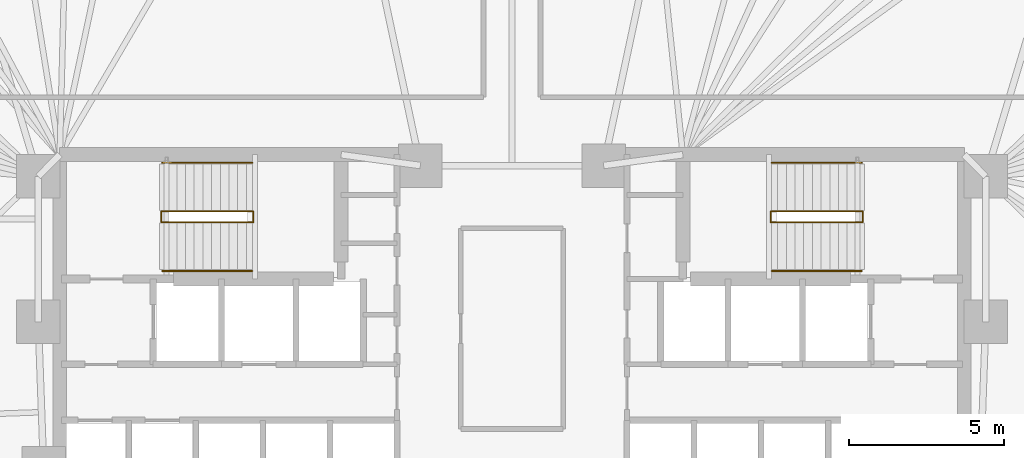
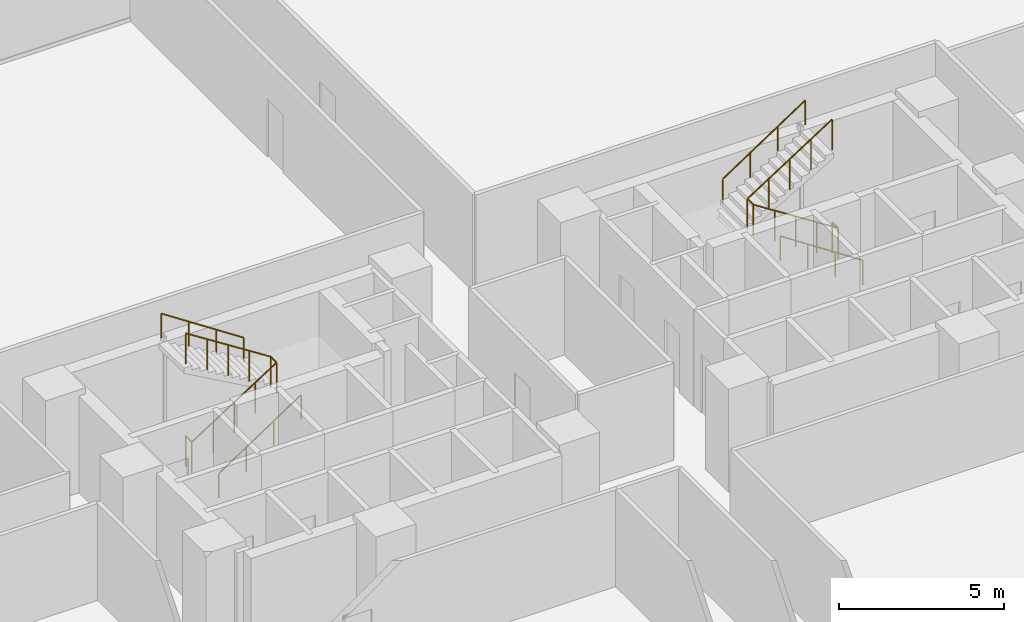
# One storey, part 16 of 16: 6 railings.
"""IFC4 building model written with IfcOpenShell, lengths in metres."""

import ifcopenshell
import ifcopenshell.guid

model = None  # the IFC model being written
_history = None  # IfcOwnerHistory: only IFC2X3 demands one
_inside = {}  # id of a spatial element -> (the spatial element, [elements in it])
_under = {}  # id of a project, library or spatial element -> (it, [spatial elements below it])
_declared = {}  # id of a project -> (the project, [libraries it declares])
_typed = {}  # id of a type object -> (the type object, [elements of that type])
_made_of = {}  # id of a material, layer set ... -> (it, [elements and type objects made of it])


def new_model(schema):
    """Start an empty IFC model of exactly this schema.

    Asked for "IFC4X3", IfcOpenShell would pick the latest addendum, in which some entities
    have other attributes; the version numbers below select the first issue.
    IFC2X3 requires an IfcOwnerHistory on every rooted entity: one is made here for all.
    """
    global model, _history
    if schema == "IFC4X3":
        model = ifcopenshell.file(schema_version=(4, 3, 0, 0))
    else:
        model = ifcopenshell.file(schema=schema)
    _inside.clear()
    _under.clear()
    _declared.clear()
    _typed.clear()
    _made_of.clear()
    _history = None
    if model.schema == "IFC2X3":
        org = make("IfcOrganization", Name="unknown")
        user = make(
            "IfcPersonAndOrganization",
            ThePerson=make("IfcPerson", FamilyName="unknown"),
            TheOrganization=org,
        )
        app = make(
            "IfcApplication",
            ApplicationDeveloper=org,
            Version="unknown",
            ApplicationFullName="unknown",
            ApplicationIdentifier="unknown",
        )
        _history = make(
            "IfcOwnerHistory",
            OwningUser=user,
            OwningApplication=app,
            ChangeAction="ADDED",
            CreationDate=0,
        )
    return model


def make(cls, **values):
    """One entity of the class cls with the attributes given. An attribute that is None is left unset."""
    return model.create_entity(
        cls, **{name: value for name, value in values.items() if value is not None}
    )


def rooted(cls, **values):
    """An entity with a GlobalId (a new one), such as an element, a storey or a relation."""
    return make(cls, GlobalId=ifcopenshell.guid.new(), OwnerHistory=_history, **values)


def si_unit(unit_type, name, prefix=None):
    """IfcSIUnit, for example si_unit("LENGTHUNIT", "METRE", prefix="MILLI")."""
    return make("IfcSIUnit", UnitType=unit_type, Prefix=prefix, Name=name)


def assignment(units):
    """IfcUnitAssignment: the units of a project."""
    return None if units is None else make("IfcUnitAssignment", Units=units)


def point(xyz):
    """IfcCartesianPoint."""
    return None if xyz is None else make("IfcCartesianPoint", Coordinates=xyz)


def direction(xyz):
    """IfcDirection."""
    return None if xyz is None else make("IfcDirection", DirectionRatios=xyz)


def frame(location, z_axis=None, x_axis=None):
    """IfcAxis2Placement3D, a coordinate frame: its origin and axes. An axis left out is left unset."""
    return make(
        "IfcAxis2Placement3D",
        Location=point(location),
        Axis=direction(z_axis),
        RefDirection=direction(x_axis),
    )


def frame_2d(location, x_axis=None):
    """IfcAxis2Placement2D, a coordinate frame in the plane: its origin and x axis."""
    return make(
        "IfcAxis2Placement2D", Location=point(location), RefDirection=direction(x_axis)
    )


def origin():
    """The frame at (0, 0, 0) with its axes left unset."""
    return frame((0.0, 0.0, 0.0))


def origin_2d():
    """The frame at (0, 0) in the plane with its x axis left unset."""
    return frame_2d((0.0, 0.0))


def place(relative_to, where):
    """IfcLocalPlacement: puts the frame where relative to a parent placement (None: the world)."""
    return make(
        "IfcLocalPlacement", PlacementRelTo=relative_to, RelativePlacement=where
    )


def context(
    kind, dimensions, precision=None, world=None, true_north=None, identifier=None
):
    """IfcGeometricRepresentationContext, for example the 3D "Model" context."""
    return make(
        "IfcGeometricRepresentationContext",
        ContextIdentifier=identifier,
        ContextType=kind,
        CoordinateSpaceDimension=dimensions,
        Precision=precision,
        WorldCoordinateSystem=world,
        TrueNorth=true_north,
    )


def subcontext(parent, identifier, kind, view, scale=None):
    """IfcGeometricRepresentationSubContext, for example "Body" below "Model"."""
    return make(
        "IfcGeometricRepresentationSubContext",
        ContextIdentifier=identifier,
        ContextType=kind,
        ParentContext=parent,
        TargetScale=scale,
        TargetView=view,
    )


def project(units=None, contexts=None):
    """IfcProject with its units and contexts."""
    return rooted(
        "IfcProject",
        Name="project",
        RepresentationContexts=contexts,
        UnitsInContext=assignment(units),
    )


def spatial(cls, under=None, at=None, **own):
    """A site, building, storey or space (cls), placed at a placement, below another one or the project."""
    s = rooted(cls, ObjectPlacement=at, **own)
    if under is not None:
        _under.setdefault(under.id(), (under, []))[1].append(s)
    return s


def profile(cls, at=None, kind="AREA", **sizes):
    """A parametric profile (cls). Its sizes go by their IFC names, for example OverallWidth=200.0."""
    return make(cls, ProfileType=kind, Position=at, **sizes)


def circle(**sizes):
    """IfcCircleProfileDef."""
    return profile("IfcCircleProfileDef", **sizes)


def extrude(swept, where, along, depth):
    """IfcExtrudedAreaSolid: the profile swept, set in the frame where, extruded along a direction by depth."""
    return make(
        "IfcExtrudedAreaSolid",
        SweptArea=swept,
        Position=where,
        ExtrudedDirection=direction(along),
        Depth=depth,
    )


def shape(context_of_items, identifier, shape_type, items):
    """IfcShapeRepresentation: the items that make up one representation, for example the "Body"."""
    return make(
        "IfcShapeRepresentation",
        ContextOfItems=context_of_items,
        RepresentationIdentifier=identifier,
        RepresentationType=shape_type,
        Items=items,
    )


def material(Name=None, Category=None):
    """IfcMaterial."""
    return make("IfcMaterial", Name=Name, Category=Category)


def made_of(thing, what):
    """Note that an element or type object is made of a material, layer set ...; save() writes the relation."""
    if what is not None:
        _made_of.setdefault(what.id(), (what, []))[1].append(thing)
    return thing


def type_object(cls, material=None, **own):
    """A type object (cls), such as IfcWallType, which elements share."""
    return made_of(rooted(cls, **own), material)


def element(
    cls,
    number,
    at=None,
    inside=None,
    cuts=None,
    type_object=None,
    material=None,
    context=None,
    identifier="Body",
    shape_type=None,
    held_by="IfcProductDefinitionShape",
    body=None,
    shapes=None,
    **own,
):
    """One element of the class cls, such as IfcWall. Its Tag is "e" and its number.

    at: its placement. inside: the storey or other place that contains it. cuts: it is an
    opening in that element (IfcRelVoidsElement). A single representation is given by context,
    identifier, shape_type and body (its items); several are given by shapes. held_by: the class
    of the entity that holds the representations. save() writes the other relations.
    """
    e = rooted(cls, Tag="e%d" % number, ObjectPlacement=at, **own)
    if body is not None:
        shapes = [shape(context, identifier, shape_type, body)]
    if shapes is not None:
        e.Representation = make(held_by, Representations=shapes)
    if inside is not None:
        _inside.setdefault(inside.id(), (inside, []))[1].append(e)
    if cuts is not None:
        rooted(
            "IfcRelVoidsElement", RelatingBuildingElement=cuts, RelatedOpeningElement=e
        )
    if type_object is not None:
        _typed.setdefault(type_object.id(), (type_object, []))[1].append(e)
    return made_of(e, material)


def aggregate(whole, parts):
    """IfcRelAggregates: a whole, such as a stair, and the parts it consists of."""
    return rooted("IfcRelAggregates", RelatingObject=whole, RelatedObjects=parts)


def save(model, path):
    """Write the relations noted so far, then the file.

    IfcRelAggregates (storeys below a building ...), IfcRelContainedInSpatialStructure (elements
    in a storey), IfcRelDefinesByType, IfcRelAssociatesMaterial and IfcRelDeclares: one each for
    every whole, place, type object, material and project.
    """
    for whole, parts in _under.values():
        aggregate(whole, parts)
    for where, things in _inside.values():
        rooted(
            "IfcRelContainedInSpatialStructure",
            RelatedElements=things,
            RelatingStructure=where,
        )
    for kind, things in _typed.values():
        rooted("IfcRelDefinesByType", RelatedObjects=things, RelatingType=kind)
    for what, things in _made_of.values():
        rooted("IfcRelAssociatesMaterial", RelatedObjects=things, RelatingMaterial=what)
    for by, libraries in _declared.values():
        rooted("IfcRelDeclares", RelatingContext=by, RelatedDefinitions=libraries)
    model.write(path)


model = new_model("IFC4")

# Units and contexts
model_context = context("Model", 3, precision=1e-05, world=origin(), true_north=direction((0.0, 1.0)))
body_context = subcontext(model_context, "Body", "Model", "MODEL_VIEW")
ifc_project = project(units=[si_unit("LENGTHUNIT", "METRE"), si_unit("AREAUNIT", "SQUARE_METRE"), si_unit("VOLUMEUNIT", "CUBIC_METRE"), si_unit("PLANEANGLEUNIT", "RADIAN"), si_unit("MASSUNIT", "GRAM", prefix="KILO")], contexts=[model_context])

# Site, building, storey
site_placement = place(None, origin())
site = spatial("IfcSite", under=ifc_project, at=site_placement, CompositionType="ELEMENT")
building_placement = place(site_placement, origin())
building = spatial("IfcBuilding", under=site, at=building_placement, Name="Menara Jurai Vektor", CompositionType="ELEMENT")
storey_placement = place(building_placement, frame((0.0, 0.0, 67.39990234375)))
storey = spatial("IfcBuildingStorey", under=building, at=storey_placement, Name="L16", CompositionType="ELEMENT", Elevation=67.39990234375)

# Railings
ifc_material_1 = material(Name="Painted Galvanised Steel Balustrade", Category="steel")
railing_type_1 = type_object("IfcRailingType", Name="RAIL-STAIR-GUARD", PredefinedType="GUARDRAIL", material=ifc_material_1)
railing_1_placement = place(storey_placement, frame((-11.2900390625, 3.780029296875, 0.0)))
element("IfcRailing", 1, at=railing_1_placement, inside=storey, type_object=railing_type_1, Name="ST1 Stair Guardrail 1 L16", PredefinedType="GUARDRAIL", context=body_context, shape_type="SweptSolid", body=[
    extrude(circle(Radius=0.02392578125, at=origin_2d()), frame((0.0, 0.0, 1.1259765625), z_axis=(0.0, -1.0, 0.0), x_axis=(1.0, 0.0, 0.0)), (0.0, 0.0, 1.0), 0.360107421875),
    extrude(circle(Radius=0.02392578125, at=origin_2d()), frame((0.0, -0.360107421875, 1.1259765625), z_axis=(0.841525601958, 0.0, 0.540217235239), x_axis=(0.0, 1.0, 0.0)), (0.0, 0.0, 1.0), 3.517333984375),
    extrude(circle(Radius=0.02392578125, at=origin_2d()), frame((2.9599609375, -0.360107421875, 3.02587890625), z_axis=(0.0, 1.0, 0.0), x_axis=(-1.0, 0.0, 0.0)), (0.0, 0.0, 1.0), 0.360107421875),
    extrude(circle(Radius=0.02392578125, at=origin_2d()), frame((2.9599609375, 0.0, 3.02587890625), z_axis=(-0.841557155905, 0.0, 0.540168078791), x_axis=(0.0, -1.0, 0.0)), (0.0, 0.0, 1.0), 3.517333984375),
    extrude(circle(Radius=0.02099609375, at=origin_2d()), origin(), (0.0, 0.0, 1.0), 1.101806640625),
    extrude(circle(Radius=0.02099609375, at=origin_2d()), frame((0.0, -0.360107421875, 0.0)), (0.0, 0.0, 1.0), 1.101806640625),
    extrude(circle(Radius=0.02099609375, at=origin_2d()), frame((0.739990234375, -0.360107421875, 0.47509765625)), (0.0, 0.0, 1.0), 1.101806640625),
    extrude(circle(Radius=0.02099609375, at=origin_2d()), frame((1.47998046875, -0.360107421875, 0.9501953125)), (0.0, 0.0, 1.0), 1.101806640625),
    extrude(circle(Radius=0.02099609375, at=origin_2d()), frame((2.219970703125, -0.360107421875, 1.425048828125)), (0.0, 0.0, 1.0), 1.101806640625),
    extrude(circle(Radius=0.02099609375, at=origin_2d()), frame((2.9599609375, -0.360107421875, 1.900146484375)), (0.0, 0.0, 1.0), 1.101806640625),
    extrude(circle(Radius=0.02099609375, at=origin_2d()), frame((2.9599609375, 0.0, 1.900146484375)), (0.0, 0.0, 1.0), 1.101806640625),
    extrude(circle(Radius=0.02099609375, at=origin_2d()), frame((2.219970703125, 0.0, 2.375)), (0.0, 0.0, 1.0), 1.101806640625),
    extrude(circle(Radius=0.02099609375, at=origin_2d()), frame((1.47998046875, 0.0, 2.85009765625)), (0.0, 0.0, 1.0), 1.101806640625),
    extrude(circle(Radius=0.02099609375, at=origin_2d()), frame((0.739990234375, 0.0, 3.3251953125)), (0.0, 0.0, 1.0), 1.101806640625),
    extrude(circle(Radius=0.02099609375, at=origin_2d()), frame((0.0, 0.0, 3.800048828125)), (0.0, 0.0, 1.0), 1.101806640625),
])
railing_2_placement = place(storey_placement, frame((11.2900390625, 3.780029296875, 0.0)))
element("IfcRailing", 2, at=railing_2_placement, inside=storey, type_object=railing_type_1, Name="ST2 Stair Guardrail 1 L16", PredefinedType="GUARDRAIL", context=body_context, shape_type="SweptSolid", body=[
    extrude(circle(Radius=0.02392578125, at=origin_2d()), frame((0.0, 0.0, 1.1259765625), z_axis=(0.0, -1.0, 0.0), x_axis=(1.0, 0.0, 0.0)), (0.0, 0.0, 1.0), 0.360107421875),
    extrude(circle(Radius=0.02392578125, at=origin_2d()), frame((0.0, -0.360107421875, 1.1259765625), z_axis=(-0.841525601958, 0.0, 0.540217235239), x_axis=(0.0, -1.0, 0.0)), (0.0, 0.0, 1.0), 3.517333984375),
    extrude(circle(Radius=0.02392578125, at=origin_2d()), frame((-2.9599609375, -0.360107421875, 3.02587890625), z_axis=(0.0, 1.0, 0.0), x_axis=(-1.0, 0.0, 0.0)), (0.0, 0.0, 1.0), 0.360107421875),
    extrude(circle(Radius=0.02392578125, at=origin_2d()), frame((-2.9599609375, 0.0, 3.02587890625), z_axis=(0.841557155905, 0.0, 0.540168078791), x_axis=(0.0, 1.0, 0.0)), (0.0, 0.0, 1.0), 3.517333984375),
    extrude(circle(Radius=0.02099609375, at=origin_2d()), origin(), (0.0, 0.0, 1.0), 1.101806640625),
    extrude(circle(Radius=0.02099609375, at=origin_2d()), frame((0.0, -0.360107421875, 0.0)), (0.0, 0.0, 1.0), 1.101806640625),
    extrude(circle(Radius=0.02099609375, at=origin_2d()), frame((-0.739990234375, -0.360107421875, 0.47509765625)), (0.0, 0.0, 1.0), 1.101806640625),
    extrude(circle(Radius=0.02099609375, at=origin_2d()), frame((-1.47998046875, -0.360107421875, 0.9501953125)), (0.0, 0.0, 1.0), 1.101806640625),
    extrude(circle(Radius=0.02099609375, at=origin_2d()), frame((-2.219970703125, -0.360107421875, 1.425048828125)), (0.0, 0.0, 1.0), 1.101806640625),
    extrude(circle(Radius=0.02099609375, at=origin_2d()), frame((-2.9599609375, -0.360107421875, 1.900146484375)), (0.0, 0.0, 1.0), 1.101806640625),
    extrude(circle(Radius=0.02099609375, at=origin_2d()), frame((-2.9599609375, 0.0, 1.900146484375)), (0.0, 0.0, 1.0), 1.101806640625),
    extrude(circle(Radius=0.02099609375, at=origin_2d()), frame((-2.219970703125, 0.0, 2.375)), (0.0, 0.0, 1.0), 1.101806640625),
    extrude(circle(Radius=0.02099609375, at=origin_2d()), frame((-1.47998046875, 0.0, 2.85009765625)), (0.0, 0.0, 1.0), 1.101806640625),
    extrude(circle(Radius=0.02099609375, at=origin_2d()), frame((-0.739990234375, 0.0, 3.3251953125)), (0.0, 0.0, 1.0), 1.101806640625),
    extrude(circle(Radius=0.02099609375, at=origin_2d()), frame((0.0, 0.0, 3.800048828125)), (0.0, 0.0, 1.0), 1.101806640625),
])
ifc_material_2 = material(Name="Brushed Stainless Steel Handrail", Category="steel")
railing_type_2 = type_object("IfcRailingType", Name="RAIL-STAIR-HAND", PredefinedType="HANDRAIL", material=ifc_material_2)
railing_3_placement = place(storey_placement, frame((-11.25, 1.860107421875, 0.0)))
element("IfcRailing", 3, at=railing_3_placement, inside=storey, type_object=railing_type_2, Name="ST1 Stair Handrail 1 L16", PredefinedType="HANDRAIL", context=body_context, shape_type="SweptSolid", body=[
    extrude(circle(Radius=0.02392578125, at=origin_2d()), frame((0.0, 0.0, 0.89599609375), z_axis=(0.834686171885, 0.0, 0.550725879602), x_axis=(0.0, 1.0, 0.0)), (0.0, 0.0, 1.0), 3.4501953125),
    extrude(circle(Radius=0.02099609375, at=origin_2d()), origin(), (0.0, 0.0, 1.0), 0.871826171875),
    extrude(circle(Radius=0.02099609375, at=origin_2d()), frame((0.9599609375, 0.0, 0.63330078125)), (0.0, 0.0, 1.0), 0.871826171875),
    extrude(circle(Radius=0.02099609375, at=origin_2d()), frame((1.919921875, 0.0, 1.266845703125)), (0.0, 0.0, 1.0), 0.871826171875),
    extrude(circle(Radius=0.02099609375, at=origin_2d()), frame((2.8798828125, 0.0, 1.900146484375)), (0.0, 0.0, 1.0), 0.871826171875),
])
railing_4_placement = place(storey_placement, frame((-8.3701171875, 5.340087890625, 1.900146484375)))
element("IfcRailing", 4, at=railing_4_placement, inside=storey, type_object=railing_type_2, Name="ST1 Stair Handrail 2 L16", PredefinedType="HANDRAIL", context=body_context, shape_type="SweptSolid", body=[
    extrude(circle(Radius=0.02392578125, at=origin_2d()), frame((0.0, 0.0, 0.89599609375), z_axis=(-0.834718698933, 0.0, 0.550676578085), x_axis=(0.0, -1.0, 0.0)), (0.0, 0.0, 1.0), 3.4501953125),
    extrude(circle(Radius=0.02099609375, at=origin_2d()), origin(), (0.0, 0.0, 1.0), 0.871826171875),
    extrude(circle(Radius=0.02099609375, at=origin_2d()), frame((-0.9599609375, 0.0, 0.63330078125)), (0.0, 0.0, 1.0), 0.871826171875),
    extrude(circle(Radius=0.02099609375, at=origin_2d()), frame((-1.919921875, 0.0, 1.2666015625)), (0.0, 0.0, 1.0), 0.871826171875),
    extrude(circle(Radius=0.02099609375, at=origin_2d()), frame((-2.8798828125, 0.0, 1.89990234375)), (0.0, 0.0, 1.0), 0.871826171875),
])
railing_5_placement = place(storey_placement, frame((11.25, 1.860107421875, 0.0)))
element("IfcRailing", 5, at=railing_5_placement, inside=storey, type_object=railing_type_2, Name="ST2 Stair Handrail 1 L16", PredefinedType="HANDRAIL", context=body_context, shape_type="SweptSolid", body=[
    extrude(circle(Radius=0.02392578125, at=origin_2d()), frame((0.0, 0.0, 0.89599609375), z_axis=(-0.834686171885, 0.0, 0.550725879602), x_axis=(0.0, -1.0, 0.0)), (0.0, 0.0, 1.0), 3.4501953125),
    extrude(circle(Radius=0.02099609375, at=origin_2d()), origin(), (0.0, 0.0, 1.0), 0.871826171875),
    extrude(circle(Radius=0.02099609375, at=origin_2d()), frame((-0.9599609375, 0.0, 0.63330078125)), (0.0, 0.0, 1.0), 0.871826171875),
    extrude(circle(Radius=0.02099609375, at=origin_2d()), frame((-1.919921875, 0.0, 1.266845703125)), (0.0, 0.0, 1.0), 0.871826171875),
    extrude(circle(Radius=0.02099609375, at=origin_2d()), frame((-2.8798828125, 0.0, 1.900146484375)), (0.0, 0.0, 1.0), 0.871826171875),
])
railing_6_placement = place(storey_placement, frame((8.3701171875, 5.340087890625, 1.900146484375)))
element("IfcRailing", 6, at=railing_6_placement, inside=storey, type_object=railing_type_2, Name="ST2 Stair Handrail 2 L16", PredefinedType="HANDRAIL", context=body_context, shape_type="SweptSolid", body=[
    extrude(circle(Radius=0.02392578125, at=origin_2d()), frame((0.0, 0.0, 0.89599609375), z_axis=(0.834718698933, 0.0, 0.550676578085), x_axis=(0.0, 1.0, 0.0)), (0.0, 0.0, 1.0), 3.4501953125),
    extrude(circle(Radius=0.02099609375, at=origin_2d()), origin(), (0.0, 0.0, 1.0), 0.871826171875),
    extrude(circle(Radius=0.02099609375, at=origin_2d()), frame((0.9599609375, 0.0, 0.63330078125)), (0.0, 0.0, 1.0), 0.871826171875),
    extrude(circle(Radius=0.02099609375, at=origin_2d()), frame((1.919921875, 0.0, 1.2666015625)), (0.0, 0.0, 1.0), 0.871826171875),
    extrude(circle(Radius=0.02099609375, at=origin_2d()), frame((2.8798828125, 0.0, 1.89990234375)), (0.0, 0.0, 1.0), 0.871826171875),
])

save(model, "model.ifc")
